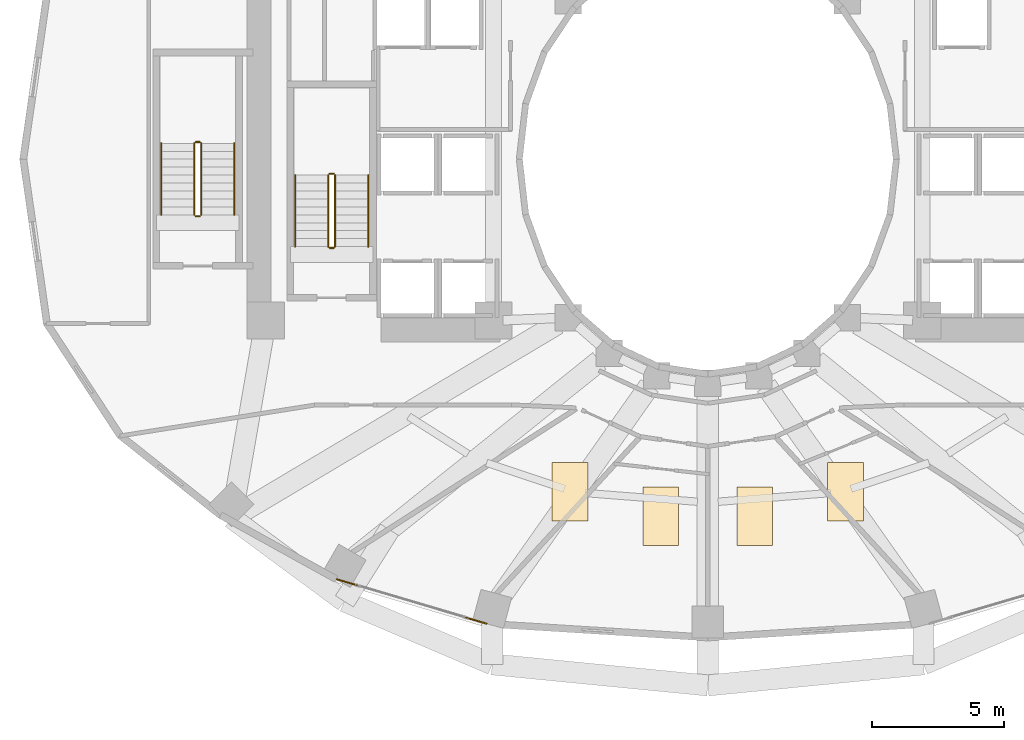
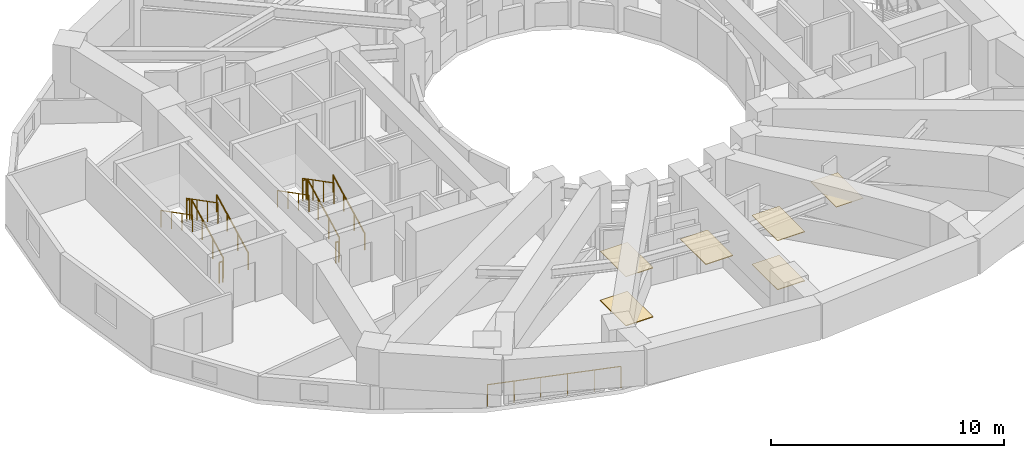
# One storey, part 15 of 17: 13 railings, 6 coverings.
"""IFC4 building model written with IfcOpenShell, lengths in metres."""

from ifc_helpers import new_model, si_unit, direction, frame, origin, origin_2d, place, context, subcontext, project, spatial, polyline, circle, outline, extrude, material, layer, layer_set, type_object, element, save


model = new_model("IFC4")

# Units and contexts
model_context = context("Model", 3, precision=1e-05, world=origin(), true_north=direction((0.0, 1.0)))
body_context = subcontext(model_context, "Body", "Model", "MODEL_VIEW")
ifc_project = project(units=[si_unit("LENGTHUNIT", "METRE"), si_unit("AREAUNIT", "SQUARE_METRE"), si_unit("VOLUMEUNIT", "CUBIC_METRE"), si_unit("PLANEANGLEUNIT", "RADIAN"), si_unit("MASSUNIT", "GRAM", prefix="KILO")], contexts=[model_context])

# Site, building, storey
site_placement = place(None, origin())
site = spatial("IfcSite", under=ifc_project, at=site_placement, CompositionType="ELEMENT")
building_placement = place(site_placement, origin())
building = spatial("IfcBuilding", under=site, at=building_placement, Name="Solvane Sanctuary Tower", CompositionType="ELEMENT")
storey_placement = place(building_placement, frame((0.0, 0.0, 52.39990234375)))
storey = spatial("IfcBuildingStorey", under=building, at=storey_placement, Name="L15", CompositionType="ELEMENT", Elevation=52.39990234375)

# Coverings
ifc_material_1 = material(Name="Acoustic Gypsum Partition Board")
ifc_layer_1 = layer(ifc_material_1, 0.02490234375, Name="Acoustic Gypsum Partition Board")
ifc_layer_set_1 = layer_set([ifc_layer_1], Name="Acoustic Gypsum Partition Board")
covering_type_1 = type_object("IfcCoveringType", Name="Covering CLG-ACOUST", PredefinedType="CEILING", material=ifc_layer_set_1)
covering_1_placement = place(storey_placement, frame((0.0, 0.0, 2.570068359375)))
element("IfcCovering", 1, at=covering_1_placement, inside=storey, type_object=covering_type_1, Name="L15 Unit Acoustic Ceiling Panel 4", PredefinedType="CEILING", context=body_context, shape_type="SweptSolid", body=[
    extrude(outline(polyline([(26.12109375, 9.3349609375), (27.470947265625, 9.3349609375), (27.470947265625, 11.534912109375), (26.12109375, 11.534912109375), (26.12109375, 9.3349609375)])), origin(), (0.0, 0.0, 1.0), 0.030029296875),
])
covering_2_placement = place(storey_placement, frame((0.0, 0.0, 2.570068359375)))
element("IfcCovering", 2, at=covering_2_placement, inside=storey, type_object=covering_type_1, Name="L15 Unit Acoustic Ceiling Panel 5", PredefinedType="CEILING", context=body_context, shape_type="SweptSolid", body=[
    extrude(outline(polyline([(29.550048828125, 8.416015625), (30.89990234375, 8.416015625), (30.89990234375, 10.615966796875), (29.550048828125, 10.615966796875), (29.550048828125, 8.416015625)])), origin(), (0.0, 0.0, 1.0), 0.030029296875),
])
covering_3_placement = place(storey_placement, frame((0.0, 0.0, 2.570068359375)))
element("IfcCovering", 3, at=covering_3_placement, inside=storey, type_object=covering_type_1, Name="L15 Unit Acoustic Ceiling Panel 6", PredefinedType="CEILING", context=body_context, shape_type="SweptSolid", body=[
    extrude(outline(polyline([(33.10009765625, 8.416015625), (34.449951171875, 8.416015625), (34.449951171875, 10.615966796875), (33.10009765625, 10.615966796875), (33.10009765625, 8.416015625)])), origin(), (0.0, 0.0, 1.0), 0.030029296875),
])
covering_4_placement = place(storey_placement, frame((0.0, 0.0, 2.570068359375)))
element("IfcCovering", 4, at=covering_4_placement, inside=storey, type_object=covering_type_1, Name="L15 Unit Acoustic Ceiling Panel 7", PredefinedType="CEILING", context=body_context, shape_type="SweptSolid", body=[
    extrude(outline(polyline([(36.529052734375, 9.3349609375), (37.87890625, 9.3349609375), (37.87890625, 11.534912109375), (36.529052734375, 11.534912109375), (36.529052734375, 9.3349609375)])), origin(), (0.0, 0.0, 1.0), 0.030029296875),
])
ifc_material_2 = material(Name="Ceramic Tile Finish")
ifc_layer_2 = layer(ifc_material_2, 0.030029296875, Name="Ceramic Tile Finish")
ifc_layer_set_2 = layer_set([ifc_layer_2], Name="Ceramic Tile Finish")
covering_type_2 = type_object("IfcCoveringType", Name="Covering FLR-TERRAZZO", PredefinedType="FLOORING", material=ifc_layer_set_2)
covering_5_placement = place(storey_placement, origin())
element("IfcCovering", 5, at=covering_5_placement, inside=storey, type_object=covering_type_2, Name="L15 Unit Terrazzo Inlay 4", PredefinedType="FLOORING", context=body_context, shape_type="SweptSolid", body=[
    extrude(outline(polyline([(26.12109375, 9.3349609375), (27.470947265625, 9.3349609375), (27.470947265625, 11.534912109375), (26.12109375, 11.534912109375), (26.12109375, 9.3349609375)])), origin(), (0.0, 0.0, 1.0), 0.03515625),
])
covering_6_placement = place(storey_placement, origin())
element("IfcCovering", 6, at=covering_6_placement, inside=storey, type_object=covering_type_2, Name="L15 Unit Terrazzo Inlay 6", PredefinedType="FLOORING", context=body_context, shape_type="SweptSolid", body=[
    extrude(outline(polyline([(33.10009765625, 8.416015625), (34.449951171875, 8.416015625), (34.449951171875, 10.615966796875), (33.10009765625, 10.615966796875), (33.10009765625, 8.416015625)])), origin(), (0.0, 0.0, 1.0), 0.03515625),
])

# Railings
ifc_material_3 = material(Name="Architectural Stainless Steel 316", Category="steel")
railing_type_1 = type_object("IfcRailingType", Name="Railing GR-BALC-1150", PredefinedType="BALUSTRADE", material=ifc_material_3)
railing_1_placement = place(storey_placement, frame((17.98681640625, 7.12939453125, 0.0)))
element("IfcRailing", 7, at=railing_1_placement, inside=storey, type_object=railing_type_1, Name="L15 Curtain-Wall Perimeter Sill Guard 16", PredefinedType="BALUSTRADE", context=body_context, shape_type="SweptSolid", body=[
    extrude(circle(Radius=0.02392578125, at=origin_2d()), frame((0.0, 0.0, 1.1259765625), z_axis=(0.958844892166, -0.283930401274, 0.0), x_axis=(0.283930401274, 0.958844892166, 0.0)), (0.0, 0.0, 1.0), 5.895263671875),
    extrude(circle(Radius=0.02099609375, at=origin_2d()), origin(), (0.0, 0.0, 1.0), 1.101806640625),
    extrude(circle(Radius=0.02099609375, at=origin_2d()), frame((1.130615234375, -0.334716796875, 0.0)), (0.0, 0.0, 1.0), 1.101806640625),
    extrude(circle(Radius=0.02099609375, at=origin_2d()), frame((2.260986328125, -0.66943359375, 0.0)), (0.0, 0.0, 1.0), 1.101806640625),
    extrude(circle(Radius=0.02099609375, at=origin_2d()), frame((3.3916015625, -1.00439453125, 0.0)), (0.0, 0.0, 1.0), 1.101806640625),
    extrude(circle(Radius=0.02099609375, at=origin_2d()), frame((4.52197265625, -1.339111328125, 0.0)), (0.0, 0.0, 1.0), 1.101806640625),
    extrude(circle(Radius=0.02099609375, at=origin_2d()), frame((5.652587890625, -1.673828125, 0.0)), (0.0, 0.0, 1.0), 1.101806640625),
])
railing_2_placement = place(storey_placement, frame((17.919921875, 19.699951171875, 0.155029296875)))
element("IfcRailing", 8, at=railing_2_placement, inside=storey, type_object=railing_type_1, Name="L15 ST-1 stair guard 1", PredefinedType="BALUSTRADE", context=body_context, shape_type="SweptSolid", body=[
    extrude(circle(Radius=0.02392578125, at=origin_2d()), frame((0.0, 0.0, 1.076171875), z_axis=(0.0, 0.888419900624, 0.459031676658), x_axis=(-1.0, 0.0, 0.0)), (0.0, 0.0, 1.0), 3.0390625),
    extrude(circle(Radius=0.02099609375, at=origin_2d()), origin(), (0.0, 0.0, 1.0), 1.052001953125),
    extrude(circle(Radius=0.02099609375, at=origin_2d()), frame((0.0, 0.89990234375, 0.465087890625)), (0.0, 0.0, 1.0), 1.052001953125),
    extrude(circle(Radius=0.02099609375, at=origin_2d()), frame((0.0, 1.800048828125, 0.929931640625)), (0.0, 0.0, 1.0), 1.052001953125),
    extrude(circle(Radius=0.02099609375, at=origin_2d()), frame((0.0, 2.699951171875, 1.39501953125)), (0.0, 0.0, 1.0), 1.052001953125),
])
railing_3_placement = place(storey_placement, frame((17.8701171875, 22.449951171875, 1.550048828125)))
element("IfcRailing", 9, at=railing_3_placement, inside=storey, type_object=railing_type_1, Name="L15 ST-1 stair guard 2", PredefinedType="BALUSTRADE", context=body_context, shape_type="SweptSolid", body=[
    extrude(circle(Radius=0.02392578125, at=origin_2d()), frame((0.0, 0.0, 1.076171875), z_axis=(-1.0, 0.0, 0.0), x_axis=(0.0, -1.0, 0.0)), (0.0, 0.0, 1.0), 0.16015625),
    extrude(circle(Radius=0.02099609375, at=origin_2d()), origin(), (0.0, 0.0, 1.0), 1.052001953125),
    extrude(circle(Radius=0.02099609375, at=origin_2d()), frame((-0.16015625, 0.0, 0.0)), (0.0, 0.0, 1.0), 1.052001953125),
])
railing_4_placement = place(storey_placement, frame((17.659912109375, 22.39990234375, 1.705078125)))
element("IfcRailing", 10, at=railing_4_placement, inside=storey, type_object=railing_type_1, Name="L15 ST-1 stair guard 3", PredefinedType="BALUSTRADE", context=body_context, shape_type="SweptSolid", body=[
    extrude(circle(Radius=0.02392578125, at=origin_2d()), frame((0.0, 0.0, 1.076171875), z_axis=(0.0, -0.888419900624, 0.459031676658), x_axis=(1.0, 0.0, 0.0)), (0.0, 0.0, 1.0), 3.0390625),
    extrude(circle(Radius=0.02099609375, at=origin_2d()), origin(), (0.0, 0.0, 1.0), 1.052001953125),
    extrude(circle(Radius=0.02099609375, at=origin_2d()), frame((0.0, -0.89990234375, 0.465087890625)), (0.0, 0.0, 1.0), 1.052001953125),
    extrude(circle(Radius=0.02099609375, at=origin_2d()), frame((0.0, -1.800048828125, 0.929931640625)), (0.0, 0.0, 1.0), 1.052001953125),
    extrude(circle(Radius=0.02099609375, at=origin_2d()), frame((0.0, -2.699951171875, 1.39501953125)), (0.0, 0.0, 1.0), 1.052001953125),
])
railing_5_placement = place(storey_placement, frame((17.8701171875, 19.64990234375, 0.0)))
element("IfcRailing", 11, at=railing_5_placement, inside=storey, type_object=railing_type_1, Name="L15 ST-1 stair guard 4", PredefinedType="BALUSTRADE", context=body_context, shape_type="SweptSolid", body=[
    extrude(circle(Radius=0.02392578125, at=origin_2d()), frame((0.0, 0.0, 1.076171875), z_axis=(-1.0, 0.0, 0.0), x_axis=(0.0, -1.0, 0.0)), (0.0, 0.0, 1.0), 0.16015625),
    extrude(circle(Radius=0.02099609375, at=origin_2d()), origin(), (0.0, 0.0, 1.0), 1.052001953125),
    extrude(circle(Radius=0.02099609375, at=origin_2d()), frame((-0.16015625, 0.0, 0.0)), (0.0, 0.0, 1.0), 1.052001953125),
])
railing_6_placement = place(storey_placement, frame((12.860107421875, 20.89990234375, 0.155029296875)))
element("IfcRailing", 12, at=railing_6_placement, inside=storey, type_object=railing_type_1, Name="L15 ST-3 stair guard 1", PredefinedType="BALUSTRADE", context=body_context, shape_type="SweptSolid", body=[
    extrude(circle(Radius=0.02392578125, at=origin_2d()), frame((0.0, 0.0, 1.076171875), z_axis=(0.0, 0.888436826113, 0.458998917216), x_axis=(-1.0, 0.0, 0.0)), (0.0, 0.0, 1.0), 3.039306640625),
    extrude(circle(Radius=0.02099609375, at=origin_2d()), origin(), (0.0, 0.0, 1.0), 1.052001953125),
    extrude(circle(Radius=0.02099609375, at=origin_2d()), frame((0.0, 0.900146484375, 0.465087890625)), (0.0, 0.0, 1.0), 1.052001953125),
    extrude(circle(Radius=0.02099609375, at=origin_2d()), frame((0.0, 1.800048828125, 0.929931640625)), (0.0, 0.0, 1.0), 1.052001953125),
    extrude(circle(Radius=0.02099609375, at=origin_2d()), frame((0.0, 2.7001953125, 1.39501953125)), (0.0, 0.0, 1.0), 1.052001953125),
])
railing_7_placement = place(storey_placement, frame((12.81005859375, 23.64990234375, 1.550048828125)))
element("IfcRailing", 13, at=railing_7_placement, inside=storey, type_object=railing_type_1, Name="L15 ST-3 stair guard 2", PredefinedType="BALUSTRADE", context=body_context, shape_type="SweptSolid", body=[
    extrude(circle(Radius=0.02392578125, at=origin_2d()), frame((0.0, 0.0, 1.076171875), z_axis=(-1.0, 0.0, 0.0), x_axis=(0.0, -1.0, 0.0)), (0.0, 0.0, 1.0), 0.16015625),
    extrude(circle(Radius=0.02099609375, at=origin_2d()), origin(), (0.0, 0.0, 1.0), 1.052001953125),
    extrude(circle(Radius=0.02099609375, at=origin_2d()), frame((-0.16015625, 0.0, 0.0)), (0.0, 0.0, 1.0), 1.052001953125),
])
railing_8_placement = place(storey_placement, frame((12.60009765625, 23.60009765625, 1.705078125)))
element("IfcRailing", 14, at=railing_8_placement, inside=storey, type_object=railing_type_1, Name="L15 ST-3 stair guard 3", PredefinedType="BALUSTRADE", context=body_context, shape_type="SweptSolid", body=[
    extrude(circle(Radius=0.02392578125, at=origin_2d()), frame((0.0, 0.0, 1.076171875), z_axis=(0.0, -0.888436826113, 0.458998917216), x_axis=(1.0, 0.0, 0.0)), (0.0, 0.0, 1.0), 3.039306640625),
    extrude(circle(Radius=0.02099609375, at=origin_2d()), origin(), (0.0, 0.0, 1.0), 1.052001953125),
    extrude(circle(Radius=0.02099609375, at=origin_2d()), frame((0.0, -0.900146484375, 0.465087890625)), (0.0, 0.0, 1.0), 1.052001953125),
    extrude(circle(Radius=0.02099609375, at=origin_2d()), frame((0.0, -1.800048828125, 0.929931640625)), (0.0, 0.0, 1.0), 1.052001953125),
    extrude(circle(Radius=0.02099609375, at=origin_2d()), frame((0.0, -2.7001953125, 1.39501953125)), (0.0, 0.0, 1.0), 1.052001953125),
])
railing_9_placement = place(storey_placement, frame((12.81005859375, 20.85009765625, 0.0)))
element("IfcRailing", 15, at=railing_9_placement, inside=storey, type_object=railing_type_1, Name="L15 ST-3 stair guard 4", PredefinedType="BALUSTRADE", context=body_context, shape_type="SweptSolid", body=[
    extrude(circle(Radius=0.02392578125, at=origin_2d()), frame((0.0, 0.0, 1.076171875), z_axis=(-1.0, 0.0, 0.0), x_axis=(0.0, -1.0, 0.0)), (0.0, 0.0, 1.0), 0.16015625),
    extrude(circle(Radius=0.02099609375, at=origin_2d()), origin(), (0.0, 0.0, 1.0), 1.052001953125),
    extrude(circle(Radius=0.02099609375, at=origin_2d()), frame((-0.16015625, 0.0, 0.0)), (0.0, 0.0, 1.0), 1.052001953125),
])
railing_type_2 = type_object("IfcRailingType", Name="Railing HR-STAIR-920", PredefinedType="HANDRAIL", material=ifc_material_3)
railing_10_placement = place(storey_placement, frame((19.169921875, 19.699951171875, 0.155029296875)))
element("IfcRailing", 16, at=railing_10_placement, inside=storey, type_object=railing_type_2, Name="L15 ST-1 stair handrail 1", PredefinedType="HANDRAIL", context=body_context, shape_type="SweptSolid", body=[
    extrude(circle(Radius=0.02392578125, at=origin_2d()), frame((0.0, 0.0, 0.8759765625), z_axis=(0.0, 0.888419900624, 0.459031676658), x_axis=(-1.0, 0.0, 0.0)), (0.0, 0.0, 1.0), 3.0390625),
    extrude(circle(Radius=0.02099609375, at=origin_2d()), origin(), (0.0, 0.0, 1.0), 0.851806640625),
    extrude(circle(Radius=0.02099609375, at=origin_2d()), frame((0.0, 0.89990234375, 0.465087890625)), (0.0, 0.0, 1.0), 0.851806640625),
    extrude(circle(Radius=0.02099609375, at=origin_2d()), frame((0.0, 1.800048828125, 0.929931640625)), (0.0, 0.0, 1.0), 0.851806640625),
    extrude(circle(Radius=0.02099609375, at=origin_2d()), frame((0.0, 2.699951171875, 1.39501953125)), (0.0, 0.0, 1.0), 0.851806640625),
])
railing_11_placement = place(storey_placement, frame((16.409912109375, 22.39990234375, 1.705078125)))
element("IfcRailing", 17, at=railing_11_placement, inside=storey, type_object=railing_type_2, Name="L15 ST-1 stair handrail 2", PredefinedType="HANDRAIL", context=body_context, shape_type="SweptSolid", body=[
    extrude(circle(Radius=0.02392578125, at=origin_2d()), frame((0.0, 0.0, 0.8759765625), z_axis=(0.0, -0.888419900624, 0.459031676658), x_axis=(1.0, 0.0, 0.0)), (0.0, 0.0, 1.0), 3.0390625),
    extrude(circle(Radius=0.02099609375, at=origin_2d()), origin(), (0.0, 0.0, 1.0), 0.851806640625),
    extrude(circle(Radius=0.02099609375, at=origin_2d()), frame((0.0, -0.89990234375, 0.465087890625)), (0.0, 0.0, 1.0), 0.851806640625),
    extrude(circle(Radius=0.02099609375, at=origin_2d()), frame((0.0, -1.800048828125, 0.929931640625)), (0.0, 0.0, 1.0), 0.851806640625),
    extrude(circle(Radius=0.02099609375, at=origin_2d()), frame((0.0, -2.699951171875, 1.39501953125)), (0.0, 0.0, 1.0), 0.851806640625),
])
railing_12_placement = place(storey_placement, frame((14.110107421875, 20.89990234375, 0.155029296875)))
element("IfcRailing", 18, at=railing_12_placement, inside=storey, type_object=railing_type_2, Name="L15 ST-3 stair handrail 1", PredefinedType="HANDRAIL", context=body_context, shape_type="SweptSolid", body=[
    extrude(circle(Radius=0.02392578125, at=origin_2d()), frame((0.0, 0.0, 0.8759765625), z_axis=(0.0, 0.888436826113, 0.458998917216), x_axis=(-1.0, 0.0, 0.0)), (0.0, 0.0, 1.0), 3.039306640625),
    extrude(circle(Radius=0.02099609375, at=origin_2d()), origin(), (0.0, 0.0, 1.0), 0.851806640625),
    extrude(circle(Radius=0.02099609375, at=origin_2d()), frame((0.0, 0.900146484375, 0.465087890625)), (0.0, 0.0, 1.0), 0.851806640625),
    extrude(circle(Radius=0.02099609375, at=origin_2d()), frame((0.0, 1.800048828125, 0.929931640625)), (0.0, 0.0, 1.0), 0.851806640625),
    extrude(circle(Radius=0.02099609375, at=origin_2d()), frame((0.0, 2.7001953125, 1.39501953125)), (0.0, 0.0, 1.0), 0.851806640625),
])
railing_13_placement = place(storey_placement, frame((11.35009765625, 23.60009765625, 1.705078125)))
element("IfcRailing", 19, at=railing_13_placement, inside=storey, type_object=railing_type_2, Name="L15 ST-3 stair handrail 2", PredefinedType="HANDRAIL", context=body_context, shape_type="SweptSolid", body=[
    extrude(circle(Radius=0.02392578125, at=origin_2d()), frame((0.0, 0.0, 0.8759765625), z_axis=(0.0, -0.888436826113, 0.458998917216), x_axis=(1.0, 0.0, 0.0)), (0.0, 0.0, 1.0), 3.039306640625),
    extrude(circle(Radius=0.02099609375, at=origin_2d()), origin(), (0.0, 0.0, 1.0), 0.851806640625),
    extrude(circle(Radius=0.02099609375, at=origin_2d()), frame((0.0, -0.900146484375, 0.465087890625)), (0.0, 0.0, 1.0), 0.851806640625),
    extrude(circle(Radius=0.02099609375, at=origin_2d()), frame((0.0, -1.800048828125, 0.929931640625)), (0.0, 0.0, 1.0), 0.851806640625),
    extrude(circle(Radius=0.02099609375, at=origin_2d()), frame((0.0, -2.7001953125, 1.39501953125)), (0.0, 0.0, 1.0), 0.851806640625),
])

save(model, "model.ifc")
